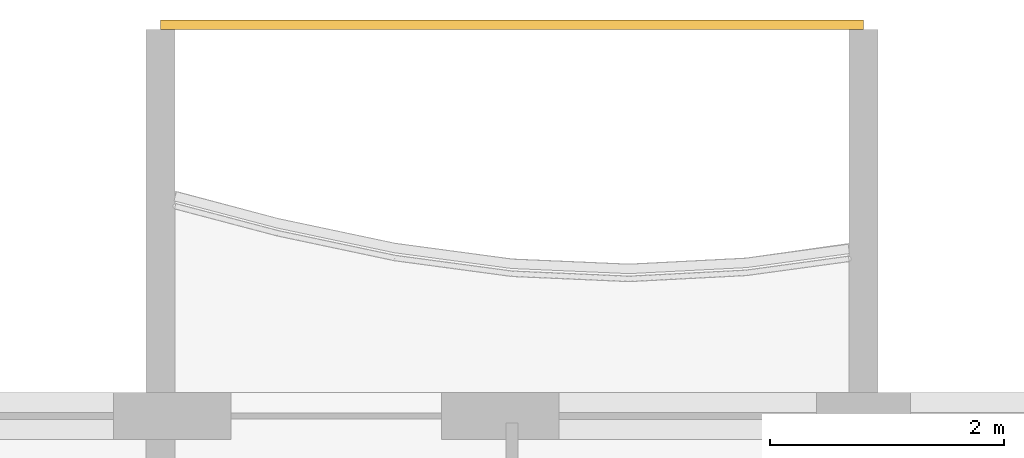
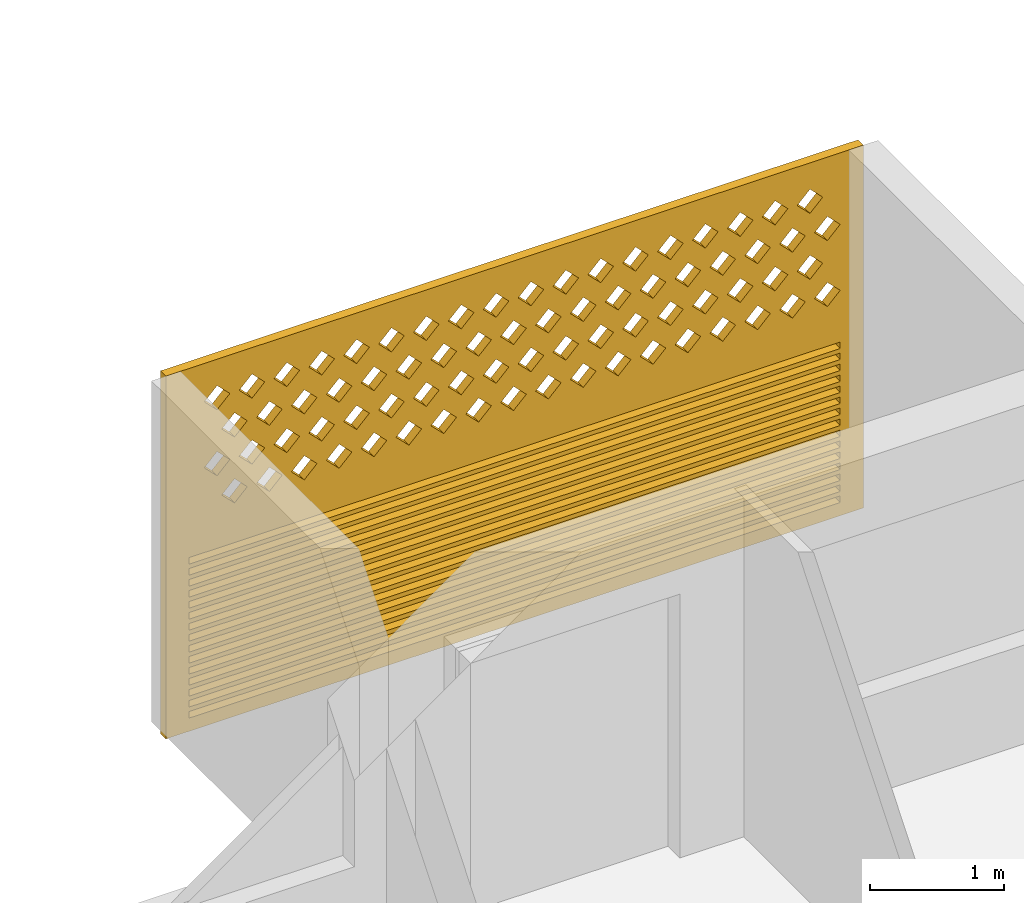
# One storey, part 23 of 27: 1 covering.
"""IFC4 building model written with IfcOpenShell, lengths in metres."""

from ifc_helpers import new_model, si_unit, direction, frame, origin, place, context, subcontext, project, spatial, polyline, outline, extrude, source, transform, mapped, material, material_profile, profile_set, type_object, element, save


model = new_model("IFC4")

# Units and contexts
model_context = context("Model", 3, precision=1e-05, world=origin(), true_north=direction((0.0, 1.0)))
body_context = subcontext(model_context, "Body", "Model", "MODEL_VIEW")
ifc_project = project(units=[si_unit("LENGTHUNIT", "METRE"), si_unit("AREAUNIT", "SQUARE_METRE"), si_unit("VOLUMEUNIT", "CUBIC_METRE"), si_unit("PLANEANGLEUNIT", "RADIAN"), si_unit("MASSUNIT", "GRAM", prefix="KILO")], contexts=[model_context])

# Site, building, storey
site_placement = place(None, origin())
site = spatial("IfcSite", under=ifc_project, at=site_placement, CompositionType="ELEMENT")
building_placement = place(site_placement, origin())
building = spatial("IfcBuilding", under=site, at=building_placement, Name="Poui Terraces", CompositionType="ELEMENT")
storey_placement = place(building_placement, frame((0.0, 0.0, 198.300048828125)))
storey = spatial("IfcBuildingStorey", under=building, at=storey_placement, Name="L55", CompositionType="ELEMENT", Elevation=198.300048828125)

# Covering
ifc_material = material(Name="Terracotta screen", Category="masonry")
ifc_material_profile = material_profile(ifc_material, outline(polyline([(-3.0, -1.64990234375), (3.0, -1.64990234375), (3.0, 1.64990234375), (-3.0, 1.64990234375), (-3.0, -1.64990234375)]), holes=[polyline([(-2.800048828125, 0.39990234375), (-2.68994140625, 0.2900390625), (-2.580078125, 0.39990234375), (-2.68994140625, 0.510009765625), (-2.800048828125, 0.39990234375)]), polyline([(-2.5, 0.39990234375), (-2.389892578125, 0.2900390625), (-2.280029296875, 0.39990234375), (-2.389892578125, 0.510009765625), (-2.5, 0.39990234375)]), polyline([(-2.199951171875, 0.39990234375), (-2.090087890625, 0.2900390625), (-1.97998046875, 0.39990234375), (-2.090087890625, 0.510009765625), (-2.199951171875, 0.39990234375)]), polyline([(-1.89990234375, 0.39990234375), (-1.7900390625, 0.2900390625), (-1.679931640625, 0.39990234375), (-1.7900390625, 0.510009765625), (-1.89990234375, 0.39990234375)]), polyline([(-1.60009765625, 0.39990234375), (-1.489990234375, 0.2900390625), (-1.3798828125, 0.39990234375), (-1.489990234375, 0.510009765625), (-1.60009765625, 0.39990234375)]), polyline([(-1.300048828125, 0.39990234375), (-1.18994140625, 0.2900390625), (-1.080078125, 0.39990234375), (-1.18994140625, 0.510009765625), (-1.300048828125, 0.39990234375)]), polyline([(-1.0, 0.39990234375), (-0.889892578125, 0.2900390625), (-0.780029296875, 0.39990234375), (-0.889892578125, 0.510009765625), (-1.0, 0.39990234375)]), polyline([(-0.699951171875, 0.39990234375), (-0.590087890625, 0.2900390625), (-0.47998046875, 0.39990234375), (-0.590087890625, 0.510009765625), (-0.699951171875, 0.39990234375)]), polyline([(-0.39990234375, 0.39990234375), (-0.2900390625, 0.2900390625), (-0.179931640625, 0.39990234375), (-0.2900390625, 0.510009765625), (-0.39990234375, 0.39990234375)]), polyline([(-0.10009765625, 0.39990234375), (0.010009765625, 0.2900390625), (0.1201171875, 0.39990234375), (0.010009765625, 0.510009765625), (-0.10009765625, 0.39990234375)]), polyline([(0.199951171875, 0.39990234375), (0.31005859375, 0.2900390625), (0.419921875, 0.39990234375), (0.31005859375, 0.510009765625), (0.199951171875, 0.39990234375)]), polyline([(0.5, 0.39990234375), (0.610107421875, 0.2900390625), (0.719970703125, 0.39990234375), (0.610107421875, 0.510009765625), (0.5, 0.39990234375)]), polyline([(0.800048828125, 0.39990234375), (0.909912109375, 0.2900390625), (1.02001953125, 0.39990234375), (0.909912109375, 0.510009765625), (0.800048828125, 0.39990234375)]), polyline([(1.10009765625, 0.39990234375), (1.2099609375, 0.2900390625), (1.320068359375, 0.39990234375), (1.2099609375, 0.510009765625), (1.10009765625, 0.39990234375)]), polyline([(1.39990234375, 0.39990234375), (1.510009765625, 0.2900390625), (1.6201171875, 0.39990234375), (1.510009765625, 0.510009765625), (1.39990234375, 0.39990234375)]), polyline([(1.699951171875, 0.39990234375), (1.81005859375, 0.2900390625), (1.919921875, 0.39990234375), (1.81005859375, 0.510009765625), (1.699951171875, 0.39990234375)]), polyline([(2.0, 0.39990234375), (2.110107421875, 0.2900390625), (2.219970703125, 0.39990234375), (2.110107421875, 0.510009765625), (2.0, 0.39990234375)]), polyline([(2.300048828125, 0.39990234375), (2.409912109375, 0.2900390625), (2.52001953125, 0.39990234375), (2.409912109375, 0.510009765625), (2.300048828125, 0.39990234375)]), polyline([(-2.64990234375, 0.699951171875), (-2.5400390625, 0.590087890625), (-2.429931640625, 0.699951171875), (-2.5400390625, 0.81005859375), (-2.64990234375, 0.699951171875)]), polyline([(-2.35009765625, 0.699951171875), (-2.239990234375, 0.590087890625), (-2.1298828125, 0.699951171875), (-2.239990234375, 0.81005859375), (-2.35009765625, 0.699951171875)]), polyline([(-2.050048828125, 0.699951171875), (-1.93994140625, 0.590087890625), (-1.830078125, 0.699951171875), (-1.93994140625, 0.81005859375), (-2.050048828125, 0.699951171875)]), polyline([(-1.75, 0.699951171875), (-1.639892578125, 0.590087890625), (-1.530029296875, 0.699951171875), (-1.639892578125, 0.81005859375), (-1.75, 0.699951171875)]), polyline([(-1.449951171875, 0.699951171875), (-1.340087890625, 0.590087890625), (-1.22998046875, 0.699951171875), (-1.340087890625, 0.81005859375), (-1.449951171875, 0.699951171875)]), polyline([(-1.14990234375, 0.699951171875), (-1.0400390625, 0.590087890625), (-0.929931640625, 0.699951171875), (-1.0400390625, 0.81005859375), (-1.14990234375, 0.699951171875)]), polyline([(-0.85009765625, 0.699951171875), (-0.739990234375, 0.590087890625), (-0.6298828125, 0.699951171875), (-0.739990234375, 0.81005859375), (-0.85009765625, 0.699951171875)]), polyline([(-0.550048828125, 0.699951171875), (-0.43994140625, 0.590087890625), (-0.330078125, 0.699951171875), (-0.43994140625, 0.81005859375), (-0.550048828125, 0.699951171875)]), polyline([(-0.25, 0.699951171875), (-0.139892578125, 0.590087890625), (-0.030029296875, 0.699951171875), (-0.139892578125, 0.81005859375), (-0.25, 0.699951171875)]), polyline([(0.050048828125, 0.699951171875), (0.159912109375, 0.590087890625), (0.27001953125, 0.699951171875), (0.159912109375, 0.81005859375), (0.050048828125, 0.699951171875)]), polyline([(0.35009765625, 0.699951171875), (0.4599609375, 0.590087890625), (0.570068359375, 0.699951171875), (0.4599609375, 0.81005859375), (0.35009765625, 0.699951171875)]), polyline([(0.64990234375, 0.699951171875), (0.760009765625, 0.590087890625), (0.8701171875, 0.699951171875), (0.760009765625, 0.81005859375), (0.64990234375, 0.699951171875)]), polyline([(0.949951171875, 0.699951171875), (1.06005859375, 0.590087890625), (1.169921875, 0.699951171875), (1.06005859375, 0.81005859375), (0.949951171875, 0.699951171875)]), polyline([(1.25, 0.699951171875), (1.360107421875, 0.590087890625), (1.469970703125, 0.699951171875), (1.360107421875, 0.81005859375), (1.25, 0.699951171875)]), polyline([(1.550048828125, 0.699951171875), (1.659912109375, 0.590087890625), (1.77001953125, 0.699951171875), (1.659912109375, 0.81005859375), (1.550048828125, 0.699951171875)]), polyline([(1.85009765625, 0.699951171875), (1.9599609375, 0.590087890625), (2.070068359375, 0.699951171875), (1.9599609375, 0.81005859375), (1.85009765625, 0.699951171875)]), polyline([(2.14990234375, 0.699951171875), (2.260009765625, 0.590087890625), (2.3701171875, 0.699951171875), (2.260009765625, 0.81005859375), (2.14990234375, 0.699951171875)]), polyline([(2.449951171875, 0.699951171875), (2.56005859375, 0.590087890625), (2.669921875, 0.699951171875), (2.56005859375, 0.81005859375), (2.449951171875, 0.699951171875)]), polyline([(-2.800048828125, 1.0), (-2.68994140625, 0.889892578125), (-2.580078125, 1.0), (-2.68994140625, 1.110107421875), (-2.800048828125, 1.0)]), polyline([(-2.5, 1.0), (-2.389892578125, 0.889892578125), (-2.280029296875, 1.0), (-2.389892578125, 1.110107421875), (-2.5, 1.0)]), polyline([(-2.199951171875, 1.0), (-2.090087890625, 0.889892578125), (-1.97998046875, 1.0), (-2.090087890625, 1.110107421875), (-2.199951171875, 1.0)]), polyline([(-1.89990234375, 1.0), (-1.7900390625, 0.889892578125), (-1.679931640625, 1.0), (-1.7900390625, 1.110107421875), (-1.89990234375, 1.0)]), polyline([(-1.60009765625, 1.0), (-1.489990234375, 0.889892578125), (-1.3798828125, 1.0), (-1.489990234375, 1.110107421875), (-1.60009765625, 1.0)]), polyline([(-1.300048828125, 1.0), (-1.18994140625, 0.889892578125), (-1.080078125, 1.0), (-1.18994140625, 1.110107421875), (-1.300048828125, 1.0)]), polyline([(-1.0, 1.0), (-0.889892578125, 0.889892578125), (-0.780029296875, 1.0), (-0.889892578125, 1.110107421875), (-1.0, 1.0)]), polyline([(-0.699951171875, 1.0), (-0.590087890625, 0.889892578125), (-0.47998046875, 1.0), (-0.590087890625, 1.110107421875), (-0.699951171875, 1.0)]), polyline([(-0.39990234375, 1.0), (-0.2900390625, 0.889892578125), (-0.179931640625, 1.0), (-0.2900390625, 1.110107421875), (-0.39990234375, 1.0)]), polyline([(-0.10009765625, 1.0), (0.010009765625, 0.889892578125), (0.1201171875, 1.0), (0.010009765625, 1.110107421875), (-0.10009765625, 1.0)]), polyline([(0.199951171875, 1.0), (0.31005859375, 0.889892578125), (0.419921875, 1.0), (0.31005859375, 1.110107421875), (0.199951171875, 1.0)]), polyline([(0.5, 1.0), (0.610107421875, 0.889892578125), (0.719970703125, 1.0), (0.610107421875, 1.110107421875), (0.5, 1.0)]), polyline([(0.800048828125, 1.0), (0.909912109375, 0.889892578125), (1.02001953125, 1.0), (0.909912109375, 1.110107421875), (0.800048828125, 1.0)]), polyline([(1.10009765625, 1.0), (1.2099609375, 0.889892578125), (1.320068359375, 1.0), (1.2099609375, 1.110107421875), (1.10009765625, 1.0)]), polyline([(1.39990234375, 1.0), (1.510009765625, 0.889892578125), (1.6201171875, 1.0), (1.510009765625, 1.110107421875), (1.39990234375, 1.0)]), polyline([(1.699951171875, 1.0), (1.81005859375, 0.889892578125), (1.919921875, 1.0), (1.81005859375, 1.110107421875), (1.699951171875, 1.0)]), polyline([(2.0, 1.0), (2.110107421875, 0.889892578125), (2.219970703125, 1.0), (2.110107421875, 1.110107421875), (2.0, 1.0)]), polyline([(2.300048828125, 1.0), (2.409912109375, 0.889892578125), (2.52001953125, 1.0), (2.409912109375, 1.110107421875), (2.300048828125, 1.0)]), polyline([(-2.64990234375, 1.300048828125), (-2.5400390625, 1.18994140625), (-2.429931640625, 1.300048828125), (-2.5400390625, 1.409912109375), (-2.64990234375, 1.300048828125)]), polyline([(-2.35009765625, 1.300048828125), (-2.239990234375, 1.18994140625), (-2.1298828125, 1.300048828125), (-2.239990234375, 1.409912109375), (-2.35009765625, 1.300048828125)]), polyline([(-2.050048828125, 1.300048828125), (-1.93994140625, 1.18994140625), (-1.830078125, 1.300048828125), (-1.93994140625, 1.409912109375), (-2.050048828125, 1.300048828125)]), polyline([(-1.75, 1.300048828125), (-1.639892578125, 1.18994140625), (-1.530029296875, 1.300048828125), (-1.639892578125, 1.409912109375), (-1.75, 1.300048828125)]), polyline([(-1.449951171875, 1.300048828125), (-1.340087890625, 1.18994140625), (-1.22998046875, 1.300048828125), (-1.340087890625, 1.409912109375), (-1.449951171875, 1.300048828125)]), polyline([(-1.14990234375, 1.300048828125), (-1.0400390625, 1.18994140625), (-0.929931640625, 1.300048828125), (-1.0400390625, 1.409912109375), (-1.14990234375, 1.300048828125)]), polyline([(-0.85009765625, 1.300048828125), (-0.739990234375, 1.18994140625), (-0.6298828125, 1.300048828125), (-0.739990234375, 1.409912109375), (-0.85009765625, 1.300048828125)]), polyline([(-0.550048828125, 1.300048828125), (-0.43994140625, 1.18994140625), (-0.330078125, 1.300048828125), (-0.43994140625, 1.409912109375), (-0.550048828125, 1.300048828125)]), polyline([(-0.25, 1.300048828125), (-0.139892578125, 1.18994140625), (-0.030029296875, 1.300048828125), (-0.139892578125, 1.409912109375), (-0.25, 1.300048828125)]), polyline([(0.050048828125, 1.300048828125), (0.159912109375, 1.18994140625), (0.27001953125, 1.300048828125), (0.159912109375, 1.409912109375), (0.050048828125, 1.300048828125)]), polyline([(0.35009765625, 1.300048828125), (0.4599609375, 1.18994140625), (0.570068359375, 1.300048828125), (0.4599609375, 1.409912109375), (0.35009765625, 1.300048828125)]), polyline([(0.64990234375, 1.300048828125), (0.760009765625, 1.18994140625), (0.8701171875, 1.300048828125), (0.760009765625, 1.409912109375), (0.64990234375, 1.300048828125)]), polyline([(0.949951171875, 1.300048828125), (1.06005859375, 1.18994140625), (1.169921875, 1.300048828125), (1.06005859375, 1.409912109375), (0.949951171875, 1.300048828125)]), polyline([(1.25, 1.300048828125), (1.360107421875, 1.18994140625), (1.469970703125, 1.300048828125), (1.360107421875, 1.409912109375), (1.25, 1.300048828125)]), polyline([(1.550048828125, 1.300048828125), (1.659912109375, 1.18994140625), (1.77001953125, 1.300048828125), (1.659912109375, 1.409912109375), (1.550048828125, 1.300048828125)]), polyline([(1.85009765625, 1.300048828125), (1.9599609375, 1.18994140625), (2.070068359375, 1.300048828125), (1.9599609375, 1.409912109375), (1.85009765625, 1.300048828125)]), polyline([(2.14990234375, 1.300048828125), (2.260009765625, 1.18994140625), (2.3701171875, 1.300048828125), (2.260009765625, 1.409912109375), (2.14990234375, 1.300048828125)]), polyline([(2.449951171875, 1.300048828125), (2.56005859375, 1.18994140625), (2.669921875, 1.300048828125), (2.56005859375, 1.409912109375), (2.449951171875, 1.300048828125)]), polyline([(-2.800048828125, -1.530029296875), (2.800048828125, -1.530029296875), (2.800048828125, -1.469970703125), (-2.800048828125, -1.469970703125), (-2.800048828125, -1.530029296875)]), polyline([(-2.800048828125, -1.429931640625), (2.800048828125, -1.429931640625), (2.800048828125, -1.3701171875), (-2.800048828125, -1.3701171875), (-2.800048828125, -1.429931640625)]), polyline([(-2.800048828125, -1.330078125), (2.800048828125, -1.330078125), (2.800048828125, -1.27001953125), (-2.800048828125, -1.27001953125), (-2.800048828125, -1.330078125)]), polyline([(-2.800048828125, -1.22998046875), (2.800048828125, -1.22998046875), (2.800048828125, -1.169921875), (-2.800048828125, -1.169921875), (-2.800048828125, -1.22998046875)]), polyline([(-2.800048828125, -1.1298828125), (2.800048828125, -1.1298828125), (2.800048828125, -1.070068359375), (-2.800048828125, -1.070068359375), (-2.800048828125, -1.1298828125)]), polyline([(-2.800048828125, -1.030029296875), (2.800048828125, -1.030029296875), (2.800048828125, -0.969970703125), (-2.800048828125, -0.969970703125), (-2.800048828125, -1.030029296875)]), polyline([(-2.800048828125, -0.929931640625), (2.800048828125, -0.929931640625), (2.800048828125, -0.8701171875), (-2.800048828125, -0.8701171875), (-2.800048828125, -0.929931640625)]), polyline([(-2.800048828125, -0.830078125), (2.800048828125, -0.830078125), (2.800048828125, -0.77001953125), (-2.800048828125, -0.77001953125), (-2.800048828125, -0.830078125)]), polyline([(-2.800048828125, -0.72998046875), (2.800048828125, -0.72998046875), (2.800048828125, -0.669921875), (-2.800048828125, -0.669921875), (-2.800048828125, -0.72998046875)]), polyline([(-2.800048828125, -0.6298828125), (2.800048828125, -0.6298828125), (2.800048828125, -0.570068359375), (-2.800048828125, -0.570068359375), (-2.800048828125, -0.6298828125)]), polyline([(-2.800048828125, -0.530029296875), (2.800048828125, -0.530029296875), (2.800048828125, -0.469970703125), (-2.800048828125, -0.469970703125), (-2.800048828125, -0.530029296875)]), polyline([(-2.800048828125, -0.429931640625), (2.800048828125, -0.429931640625), (2.800048828125, -0.3701171875), (-2.800048828125, -0.3701171875), (-2.800048828125, -0.429931640625)]), polyline([(-2.800048828125, -0.330078125), (2.800048828125, -0.330078125), (2.800048828125, -0.27001953125), (-2.800048828125, -0.27001953125), (-2.800048828125, -0.330078125)]), polyline([(-2.800048828125, -0.22998046875), (2.800048828125, -0.22998046875), (2.800048828125, -0.169921875), (-2.800048828125, -0.169921875), (-2.800048828125, -0.22998046875)]), polyline([(-2.800048828125, -0.1298828125), (2.800048828125, -0.1298828125), (2.800048828125, -0.070068359375), (-2.800048828125, -0.070068359375), (-2.800048828125, -0.1298828125)])]), Name="TERRACOTTA SCREEN AND JALOUSIE LOUVRE 6000X3300")
ifc_profile_set = profile_set([ifc_material_profile], Name="Terracotta screen")
covering_type = type_object("IfcCoveringType", Name="TERRACOTTA SCREEN AND JALOUSIE LOUVRE 6000X3300", PredefinedType="CLADDING", material=ifc_profile_set)
shared_shape = source(origin(), body_context, "Body", "SweptSolid", [
    extrude(outline(polyline([(-3.0, -1.64990234375), (3.0, -1.64990234375), (3.0, 1.64990234375), (-3.0, 1.64990234375), (-3.0, -1.64990234375)]), holes=[polyline([(-2.800048828125, 0.39990234375), (-2.68994140625, 0.2900390625), (-2.580078125, 0.39990234375), (-2.68994140625, 0.510009765625), (-2.800048828125, 0.39990234375)]), polyline([(-2.5, 0.39990234375), (-2.389892578125, 0.2900390625), (-2.280029296875, 0.39990234375), (-2.389892578125, 0.510009765625), (-2.5, 0.39990234375)]), polyline([(-2.199951171875, 0.39990234375), (-2.090087890625, 0.2900390625), (-1.97998046875, 0.39990234375), (-2.090087890625, 0.510009765625), (-2.199951171875, 0.39990234375)]), polyline([(-1.89990234375, 0.39990234375), (-1.7900390625, 0.2900390625), (-1.679931640625, 0.39990234375), (-1.7900390625, 0.510009765625), (-1.89990234375, 0.39990234375)]), polyline([(-1.60009765625, 0.39990234375), (-1.489990234375, 0.2900390625), (-1.3798828125, 0.39990234375), (-1.489990234375, 0.510009765625), (-1.60009765625, 0.39990234375)]), polyline([(-1.300048828125, 0.39990234375), (-1.18994140625, 0.2900390625), (-1.080078125, 0.39990234375), (-1.18994140625, 0.510009765625), (-1.300048828125, 0.39990234375)]), polyline([(-1.0, 0.39990234375), (-0.889892578125, 0.2900390625), (-0.780029296875, 0.39990234375), (-0.889892578125, 0.510009765625), (-1.0, 0.39990234375)]), polyline([(-0.699951171875, 0.39990234375), (-0.590087890625, 0.2900390625), (-0.47998046875, 0.39990234375), (-0.590087890625, 0.510009765625), (-0.699951171875, 0.39990234375)]), polyline([(-0.39990234375, 0.39990234375), (-0.2900390625, 0.2900390625), (-0.179931640625, 0.39990234375), (-0.2900390625, 0.510009765625), (-0.39990234375, 0.39990234375)]), polyline([(-0.10009765625, 0.39990234375), (0.010009765625, 0.2900390625), (0.1201171875, 0.39990234375), (0.010009765625, 0.510009765625), (-0.10009765625, 0.39990234375)]), polyline([(0.199951171875, 0.39990234375), (0.31005859375, 0.2900390625), (0.419921875, 0.39990234375), (0.31005859375, 0.510009765625), (0.199951171875, 0.39990234375)]), polyline([(0.5, 0.39990234375), (0.610107421875, 0.2900390625), (0.719970703125, 0.39990234375), (0.610107421875, 0.510009765625), (0.5, 0.39990234375)]), polyline([(0.800048828125, 0.39990234375), (0.909912109375, 0.2900390625), (1.02001953125, 0.39990234375), (0.909912109375, 0.510009765625), (0.800048828125, 0.39990234375)]), polyline([(1.10009765625, 0.39990234375), (1.2099609375, 0.2900390625), (1.320068359375, 0.39990234375), (1.2099609375, 0.510009765625), (1.10009765625, 0.39990234375)]), polyline([(1.39990234375, 0.39990234375), (1.510009765625, 0.2900390625), (1.6201171875, 0.39990234375), (1.510009765625, 0.510009765625), (1.39990234375, 0.39990234375)]), polyline([(1.699951171875, 0.39990234375), (1.81005859375, 0.2900390625), (1.919921875, 0.39990234375), (1.81005859375, 0.510009765625), (1.699951171875, 0.39990234375)]), polyline([(2.0, 0.39990234375), (2.110107421875, 0.2900390625), (2.219970703125, 0.39990234375), (2.110107421875, 0.510009765625), (2.0, 0.39990234375)]), polyline([(2.300048828125, 0.39990234375), (2.409912109375, 0.2900390625), (2.52001953125, 0.39990234375), (2.409912109375, 0.510009765625), (2.300048828125, 0.39990234375)]), polyline([(-2.64990234375, 0.699951171875), (-2.5400390625, 0.590087890625), (-2.429931640625, 0.699951171875), (-2.5400390625, 0.81005859375), (-2.64990234375, 0.699951171875)]), polyline([(-2.35009765625, 0.699951171875), (-2.239990234375, 0.590087890625), (-2.1298828125, 0.699951171875), (-2.239990234375, 0.81005859375), (-2.35009765625, 0.699951171875)]), polyline([(-2.050048828125, 0.699951171875), (-1.93994140625, 0.590087890625), (-1.830078125, 0.699951171875), (-1.93994140625, 0.81005859375), (-2.050048828125, 0.699951171875)]), polyline([(-1.75, 0.699951171875), (-1.639892578125, 0.590087890625), (-1.530029296875, 0.699951171875), (-1.639892578125, 0.81005859375), (-1.75, 0.699951171875)]), polyline([(-1.449951171875, 0.699951171875), (-1.340087890625, 0.590087890625), (-1.22998046875, 0.699951171875), (-1.340087890625, 0.81005859375), (-1.449951171875, 0.699951171875)]), polyline([(-1.14990234375, 0.699951171875), (-1.0400390625, 0.590087890625), (-0.929931640625, 0.699951171875), (-1.0400390625, 0.81005859375), (-1.14990234375, 0.699951171875)]), polyline([(-0.85009765625, 0.699951171875), (-0.739990234375, 0.590087890625), (-0.6298828125, 0.699951171875), (-0.739990234375, 0.81005859375), (-0.85009765625, 0.699951171875)]), polyline([(-0.550048828125, 0.699951171875), (-0.43994140625, 0.590087890625), (-0.330078125, 0.699951171875), (-0.43994140625, 0.81005859375), (-0.550048828125, 0.699951171875)]), polyline([(-0.25, 0.699951171875), (-0.139892578125, 0.590087890625), (-0.030029296875, 0.699951171875), (-0.139892578125, 0.81005859375), (-0.25, 0.699951171875)]), polyline([(0.050048828125, 0.699951171875), (0.159912109375, 0.590087890625), (0.27001953125, 0.699951171875), (0.159912109375, 0.81005859375), (0.050048828125, 0.699951171875)]), polyline([(0.35009765625, 0.699951171875), (0.4599609375, 0.590087890625), (0.570068359375, 0.699951171875), (0.4599609375, 0.81005859375), (0.35009765625, 0.699951171875)]), polyline([(0.64990234375, 0.699951171875), (0.760009765625, 0.590087890625), (0.8701171875, 0.699951171875), (0.760009765625, 0.81005859375), (0.64990234375, 0.699951171875)]), polyline([(0.949951171875, 0.699951171875), (1.06005859375, 0.590087890625), (1.169921875, 0.699951171875), (1.06005859375, 0.81005859375), (0.949951171875, 0.699951171875)]), polyline([(1.25, 0.699951171875), (1.360107421875, 0.590087890625), (1.469970703125, 0.699951171875), (1.360107421875, 0.81005859375), (1.25, 0.699951171875)]), polyline([(1.550048828125, 0.699951171875), (1.659912109375, 0.590087890625), (1.77001953125, 0.699951171875), (1.659912109375, 0.81005859375), (1.550048828125, 0.699951171875)]), polyline([(1.85009765625, 0.699951171875), (1.9599609375, 0.590087890625), (2.070068359375, 0.699951171875), (1.9599609375, 0.81005859375), (1.85009765625, 0.699951171875)]), polyline([(2.14990234375, 0.699951171875), (2.260009765625, 0.590087890625), (2.3701171875, 0.699951171875), (2.260009765625, 0.81005859375), (2.14990234375, 0.699951171875)]), polyline([(2.449951171875, 0.699951171875), (2.56005859375, 0.590087890625), (2.669921875, 0.699951171875), (2.56005859375, 0.81005859375), (2.449951171875, 0.699951171875)]), polyline([(-2.800048828125, 1.0), (-2.68994140625, 0.889892578125), (-2.580078125, 1.0), (-2.68994140625, 1.110107421875), (-2.800048828125, 1.0)]), polyline([(-2.5, 1.0), (-2.389892578125, 0.889892578125), (-2.280029296875, 1.0), (-2.389892578125, 1.110107421875), (-2.5, 1.0)]), polyline([(-2.199951171875, 1.0), (-2.090087890625, 0.889892578125), (-1.97998046875, 1.0), (-2.090087890625, 1.110107421875), (-2.199951171875, 1.0)]), polyline([(-1.89990234375, 1.0), (-1.7900390625, 0.889892578125), (-1.679931640625, 1.0), (-1.7900390625, 1.110107421875), (-1.89990234375, 1.0)]), polyline([(-1.60009765625, 1.0), (-1.489990234375, 0.889892578125), (-1.3798828125, 1.0), (-1.489990234375, 1.110107421875), (-1.60009765625, 1.0)]), polyline([(-1.300048828125, 1.0), (-1.18994140625, 0.889892578125), (-1.080078125, 1.0), (-1.18994140625, 1.110107421875), (-1.300048828125, 1.0)]), polyline([(-1.0, 1.0), (-0.889892578125, 0.889892578125), (-0.780029296875, 1.0), (-0.889892578125, 1.110107421875), (-1.0, 1.0)]), polyline([(-0.699951171875, 1.0), (-0.590087890625, 0.889892578125), (-0.47998046875, 1.0), (-0.590087890625, 1.110107421875), (-0.699951171875, 1.0)]), polyline([(-0.39990234375, 1.0), (-0.2900390625, 0.889892578125), (-0.179931640625, 1.0), (-0.2900390625, 1.110107421875), (-0.39990234375, 1.0)]), polyline([(-0.10009765625, 1.0), (0.010009765625, 0.889892578125), (0.1201171875, 1.0), (0.010009765625, 1.110107421875), (-0.10009765625, 1.0)]), polyline([(0.199951171875, 1.0), (0.31005859375, 0.889892578125), (0.419921875, 1.0), (0.31005859375, 1.110107421875), (0.199951171875, 1.0)]), polyline([(0.5, 1.0), (0.610107421875, 0.889892578125), (0.719970703125, 1.0), (0.610107421875, 1.110107421875), (0.5, 1.0)]), polyline([(0.800048828125, 1.0), (0.909912109375, 0.889892578125), (1.02001953125, 1.0), (0.909912109375, 1.110107421875), (0.800048828125, 1.0)]), polyline([(1.10009765625, 1.0), (1.2099609375, 0.889892578125), (1.320068359375, 1.0), (1.2099609375, 1.110107421875), (1.10009765625, 1.0)]), polyline([(1.39990234375, 1.0), (1.510009765625, 0.889892578125), (1.6201171875, 1.0), (1.510009765625, 1.110107421875), (1.39990234375, 1.0)]), polyline([(1.699951171875, 1.0), (1.81005859375, 0.889892578125), (1.919921875, 1.0), (1.81005859375, 1.110107421875), (1.699951171875, 1.0)]), polyline([(2.0, 1.0), (2.110107421875, 0.889892578125), (2.219970703125, 1.0), (2.110107421875, 1.110107421875), (2.0, 1.0)]), polyline([(2.300048828125, 1.0), (2.409912109375, 0.889892578125), (2.52001953125, 1.0), (2.409912109375, 1.110107421875), (2.300048828125, 1.0)]), polyline([(-2.64990234375, 1.300048828125), (-2.5400390625, 1.18994140625), (-2.429931640625, 1.300048828125), (-2.5400390625, 1.409912109375), (-2.64990234375, 1.300048828125)]), polyline([(-2.35009765625, 1.300048828125), (-2.239990234375, 1.18994140625), (-2.1298828125, 1.300048828125), (-2.239990234375, 1.409912109375), (-2.35009765625, 1.300048828125)]), polyline([(-2.050048828125, 1.300048828125), (-1.93994140625, 1.18994140625), (-1.830078125, 1.300048828125), (-1.93994140625, 1.409912109375), (-2.050048828125, 1.300048828125)]), polyline([(-1.75, 1.300048828125), (-1.639892578125, 1.18994140625), (-1.530029296875, 1.300048828125), (-1.639892578125, 1.409912109375), (-1.75, 1.300048828125)]), polyline([(-1.449951171875, 1.300048828125), (-1.340087890625, 1.18994140625), (-1.22998046875, 1.300048828125), (-1.340087890625, 1.409912109375), (-1.449951171875, 1.300048828125)]), polyline([(-1.14990234375, 1.300048828125), (-1.0400390625, 1.18994140625), (-0.929931640625, 1.300048828125), (-1.0400390625, 1.409912109375), (-1.14990234375, 1.300048828125)]), polyline([(-0.85009765625, 1.300048828125), (-0.739990234375, 1.18994140625), (-0.6298828125, 1.300048828125), (-0.739990234375, 1.409912109375), (-0.85009765625, 1.300048828125)]), polyline([(-0.550048828125, 1.300048828125), (-0.43994140625, 1.18994140625), (-0.330078125, 1.300048828125), (-0.43994140625, 1.409912109375), (-0.550048828125, 1.300048828125)]), polyline([(-0.25, 1.300048828125), (-0.139892578125, 1.18994140625), (-0.030029296875, 1.300048828125), (-0.139892578125, 1.409912109375), (-0.25, 1.300048828125)]), polyline([(0.050048828125, 1.300048828125), (0.159912109375, 1.18994140625), (0.27001953125, 1.300048828125), (0.159912109375, 1.409912109375), (0.050048828125, 1.300048828125)]), polyline([(0.35009765625, 1.300048828125), (0.4599609375, 1.18994140625), (0.570068359375, 1.300048828125), (0.4599609375, 1.409912109375), (0.35009765625, 1.300048828125)]), polyline([(0.64990234375, 1.300048828125), (0.760009765625, 1.18994140625), (0.8701171875, 1.300048828125), (0.760009765625, 1.409912109375), (0.64990234375, 1.300048828125)]), polyline([(0.949951171875, 1.300048828125), (1.06005859375, 1.18994140625), (1.169921875, 1.300048828125), (1.06005859375, 1.409912109375), (0.949951171875, 1.300048828125)]), polyline([(1.25, 1.300048828125), (1.360107421875, 1.18994140625), (1.469970703125, 1.300048828125), (1.360107421875, 1.409912109375), (1.25, 1.300048828125)]), polyline([(1.550048828125, 1.300048828125), (1.659912109375, 1.18994140625), (1.77001953125, 1.300048828125), (1.659912109375, 1.409912109375), (1.550048828125, 1.300048828125)]), polyline([(1.85009765625, 1.300048828125), (1.9599609375, 1.18994140625), (2.070068359375, 1.300048828125), (1.9599609375, 1.409912109375), (1.85009765625, 1.300048828125)]), polyline([(2.14990234375, 1.300048828125), (2.260009765625, 1.18994140625), (2.3701171875, 1.300048828125), (2.260009765625, 1.409912109375), (2.14990234375, 1.300048828125)]), polyline([(2.449951171875, 1.300048828125), (2.56005859375, 1.18994140625), (2.669921875, 1.300048828125), (2.56005859375, 1.409912109375), (2.449951171875, 1.300048828125)]), polyline([(-2.800048828125, -1.530029296875), (2.800048828125, -1.530029296875), (2.800048828125, -1.469970703125), (-2.800048828125, -1.469970703125), (-2.800048828125, -1.530029296875)]), polyline([(-2.800048828125, -1.429931640625), (2.800048828125, -1.429931640625), (2.800048828125, -1.3701171875), (-2.800048828125, -1.3701171875), (-2.800048828125, -1.429931640625)]), polyline([(-2.800048828125, -1.330078125), (2.800048828125, -1.330078125), (2.800048828125, -1.27001953125), (-2.800048828125, -1.27001953125), (-2.800048828125, -1.330078125)]), polyline([(-2.800048828125, -1.22998046875), (2.800048828125, -1.22998046875), (2.800048828125, -1.169921875), (-2.800048828125, -1.169921875), (-2.800048828125, -1.22998046875)]), polyline([(-2.800048828125, -1.1298828125), (2.800048828125, -1.1298828125), (2.800048828125, -1.070068359375), (-2.800048828125, -1.070068359375), (-2.800048828125, -1.1298828125)]), polyline([(-2.800048828125, -1.030029296875), (2.800048828125, -1.030029296875), (2.800048828125, -0.969970703125), (-2.800048828125, -0.969970703125), (-2.800048828125, -1.030029296875)]), polyline([(-2.800048828125, -0.929931640625), (2.800048828125, -0.929931640625), (2.800048828125, -0.8701171875), (-2.800048828125, -0.8701171875), (-2.800048828125, -0.929931640625)]), polyline([(-2.800048828125, -0.830078125), (2.800048828125, -0.830078125), (2.800048828125, -0.77001953125), (-2.800048828125, -0.77001953125), (-2.800048828125, -0.830078125)]), polyline([(-2.800048828125, -0.72998046875), (2.800048828125, -0.72998046875), (2.800048828125, -0.669921875), (-2.800048828125, -0.669921875), (-2.800048828125, -0.72998046875)]), polyline([(-2.800048828125, -0.6298828125), (2.800048828125, -0.6298828125), (2.800048828125, -0.570068359375), (-2.800048828125, -0.570068359375), (-2.800048828125, -0.6298828125)]), polyline([(-2.800048828125, -0.530029296875), (2.800048828125, -0.530029296875), (2.800048828125, -0.469970703125), (-2.800048828125, -0.469970703125), (-2.800048828125, -0.530029296875)]), polyline([(-2.800048828125, -0.429931640625), (2.800048828125, -0.429931640625), (2.800048828125, -0.3701171875), (-2.800048828125, -0.3701171875), (-2.800048828125, -0.429931640625)]), polyline([(-2.800048828125, -0.330078125), (2.800048828125, -0.330078125), (2.800048828125, -0.27001953125), (-2.800048828125, -0.27001953125), (-2.800048828125, -0.330078125)]), polyline([(-2.800048828125, -0.22998046875), (2.800048828125, -0.22998046875), (2.800048828125, -0.169921875), (-2.800048828125, -0.169921875), (-2.800048828125, -0.22998046875)]), polyline([(-2.800048828125, -0.1298828125), (2.800048828125, -0.1298828125), (2.800048828125, -0.070068359375), (-2.800048828125, -0.070068359375), (-2.800048828125, -0.1298828125)])]), origin(), (0.0, 0.0, 1.0), 0.080078125),
])
covering_placement = place(storey_placement, frame((57.0, 44.5, 1.449951171875), z_axis=(0.0, 1.0, 0.0), x_axis=(-1.0, 0.0, 0.0)))
element("IfcCovering", 1, at=covering_placement, inside=storey, type_object=covering_type, Name="SOLAR SCREEN AND JALOUSIE LOUVRE", PredefinedType="CLADDING", context=body_context, shape_type="MappedRepresentation", body=[
    mapped(shared_shape, transform((0.0, 0.0, 0.0))),
])

save(model, "model.ifc")
